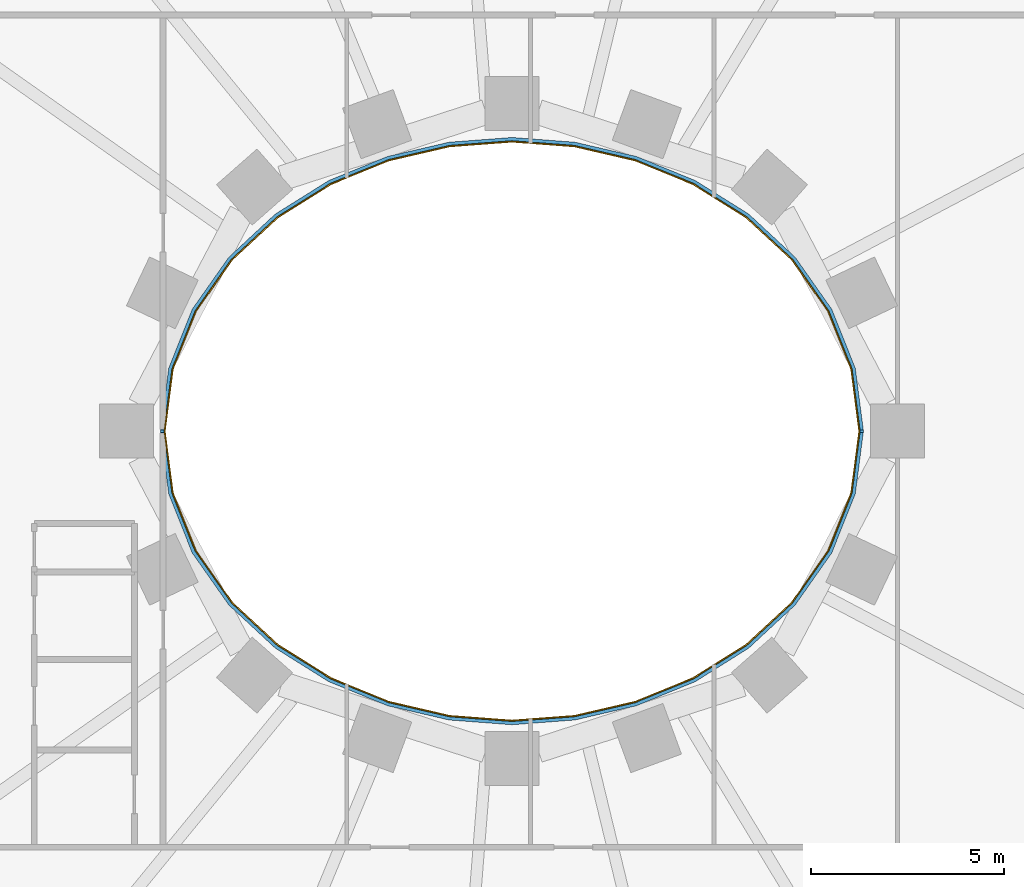
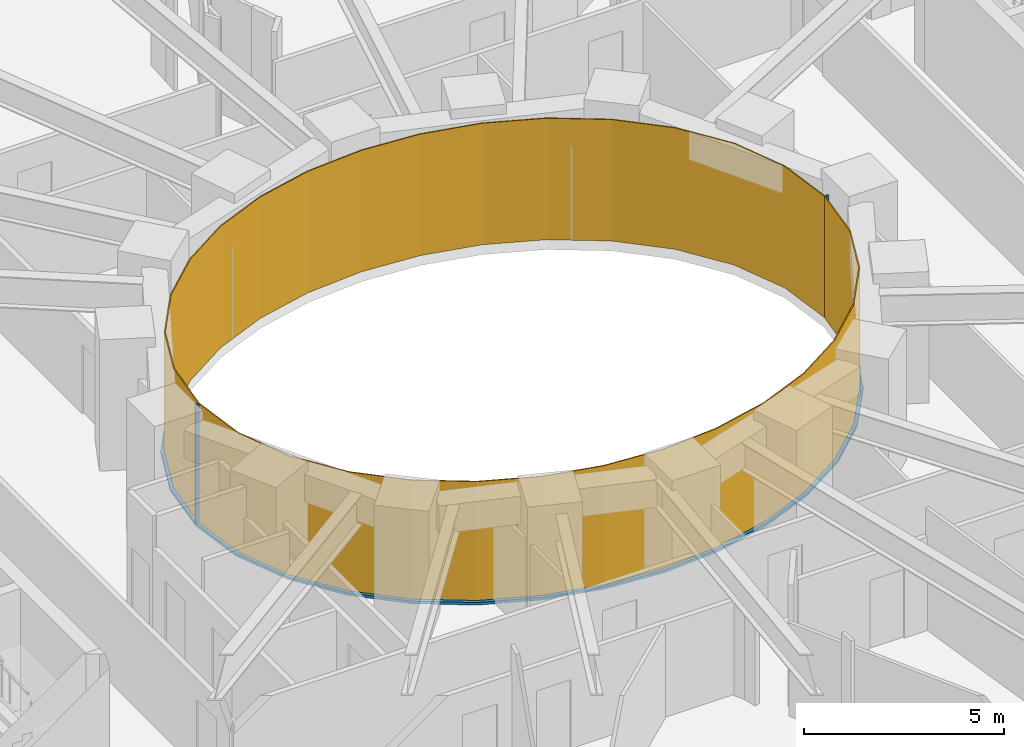
# One storey, part 10 of 20: 4 members, 2 curtain walls.
"""IFC4 building model written with IfcOpenShell, lengths in metres."""

from ifc_helpers import new_model, si_unit, direction, frame, origin, origin_2d, place, context, subcontext, project, spatial, polyline, rectangle, outline, extrude, material, layer, layer_set, material_profile, profile_set, type_object, element, aggregate, save


model = new_model("IFC4")

# Units and contexts
model_context = context("Model", 3, precision=1e-05, world=origin(), true_north=direction((0.0, 1.0)))
body_context = subcontext(model_context, "Body", "Model", "MODEL_VIEW")
ifc_project = project(units=[si_unit("LENGTHUNIT", "METRE"), si_unit("AREAUNIT", "SQUARE_METRE"), si_unit("VOLUMEUNIT", "CUBIC_METRE"), si_unit("PLANEANGLEUNIT", "RADIAN"), si_unit("MASSUNIT", "GRAM", prefix="KILO")], contexts=[model_context])

# Member
ifc_material_1 = material(Name="Steel S355 fire-resisting frame", Category="steel")
ifc_material_profile = material_profile(ifc_material_1, rectangle(XDim=0.090087890625, YDim=0.06005859375, at=origin_2d()), Name="90x60")
ifc_profile_set = profile_set([ifc_material_profile], Name="Steel S355 fire-resisting frame")
member_type_1 = type_object("IfcMemberType", Name="ENV-MULLION-W-90", PredefinedType="MULLION", material=ifc_profile_set)
site_placement = place(None, origin())
building_placement = place(site_placement, origin())
storey_placement = place(building_placement, frame((0.0, 0.0, 34.5)))
member_1_placement = place(storey_placement, frame((9.076904296875, 0.0, 0.0), z_axis=(0.0, 0.0, 1.0), x_axis=(1.0, 0.0, 0.0)))
member_1 = element("IfcMember", 1, at=member_1_placement, type_object=member_type_1, Name="Mullion W well vertex 01", PredefinedType="MULLION", context=body_context, shape_type="SweptSolid", body=[
    extrude(rectangle(XDim=0.090087890625, YDim=0.06005859375, at=origin_2d()), origin(), (0.0, 0.0, 1.0), 3.699951171875),
])

member_2_placement = place(storey_placement, frame((-9.076904296875, 0.0, 0.0), z_axis=(0.0, 0.0, 1.0), x_axis=(-1.0, 0.0, 0.0)))
member_2 = element("IfcMember", 2, at=member_2_placement, type_object=member_type_1, Name="Mullion W well vertex 17", PredefinedType="MULLION", context=body_context, shape_type="SweptSolid", body=[
    extrude(rectangle(XDim=0.090087890625, YDim=0.06005859375, at=origin_2d()), origin(), (0.0, 0.0, 1.0), 3.699951171875),
])

ifc_material_2 = material(Name="Steel S355 fire-resisting frame", Category="steel")
member_type_2 = type_object("IfcMemberType", Name="ENV-TRANSOM-W", PredefinedType="USERDEFINED", material=ifc_material_2)
member_3_placement = place(storey_placement, origin())
member_3 = element("IfcMember", 3, at=member_3_placement, type_object=member_type_2, Name="Transom W well 01-17", ObjectType="TRANSOM", PredefinedType="USERDEFINED", context=body_context, shape_type="SweptSolid", body=[
    extrude(outline(polyline([(9.119384765625, 0.02783203125), (8.910400390625, 1.63623046875), (8.29833984375, 3.167236328125), (7.35107421875, 4.5146484375), (6.1455078125, 5.6337890625), (4.75341796875, 6.50634765625), (3.233642578125, 7.127685546875), (1.635498046875, 7.498779296875), (0.0, 7.622314453125), (-1.635498046875, 7.498779296875), (-3.233642578125, 7.127685546875), (-4.75341796875, 6.50634765625), (-6.1455078125, 5.6337890625), (-7.35107421875, 4.5146484375), (-8.29833984375, 3.167236328125), (-8.910400390625, 1.63623046875), (-9.119384765625, 0.02783203125), (-9.02880859375, 0.02783203125), (-8.822509765625, 1.61328125), (-8.21875, 3.124267578125), (-7.282958984375, 4.455078125), (-6.090576171875, 5.56201171875), (-4.712158203125, 6.426025390625), (-3.206298828125, 7.04150390625), (-1.621826171875, 7.40966796875), (0.0, 7.531982421875), (1.621826171875, 7.40966796875), (3.206298828125, 7.04150390625), (4.712158203125, 6.426025390625), (6.090576171875, 5.56201171875), (7.282958984375, 4.455078125), (8.21875, 3.124267578125), (8.822509765625, 1.61328125), (9.02880859375, 0.02783203125), (9.119384765625, 0.02783203125)])), origin(), (0.0, 0.0, 1.0), 0.080078125),
])

member_4_placement = place(storey_placement, origin())
member_4 = element("IfcMember", 4, at=member_4_placement, type_object=member_type_2, Name="Transom W well 17-01", ObjectType="TRANSOM", PredefinedType="USERDEFINED", context=body_context, shape_type="SweptSolid", body=[
    extrude(outline(polyline([(-9.119384765625, -0.02783203125), (-8.910400390625, -1.63623046875), (-8.29833984375, -3.167236328125), (-7.35107421875, -4.5146484375), (-6.1455078125, -5.6337890625), (-4.75341796875, -6.50634765625), (-3.233642578125, -7.127685546875), (-1.635498046875, -7.498779296875), (0.0, -7.622314453125), (1.635498046875, -7.498779296875), (3.233642578125, -7.127685546875), (4.75341796875, -6.50634765625), (6.1455078125, -5.6337890625), (7.35107421875, -4.5146484375), (8.29833984375, -3.167236328125), (8.910400390625, -1.63623046875), (9.119384765625, -0.02783203125), (9.02880859375, -0.02783203125), (8.822509765625, -1.61328125), (8.21875, -3.124267578125), (7.282958984375, -4.455078125), (6.090576171875, -5.56201171875), (4.712158203125, -6.426025390625), (3.206298828125, -7.04150390625), (1.621826171875, -7.40966796875), (0.0, -7.531982421875), (-1.621826171875, -7.40966796875), (-3.206298828125, -7.04150390625), (-4.712158203125, -6.426025390625), (-6.090576171875, -5.56201171875), (-7.282958984375, -4.455078125), (-8.21875, -3.124267578125), (-8.822509765625, -1.61328125), (-9.02880859375, -0.02783203125), (-9.119384765625, -0.02783203125)])), origin(), (0.0, 0.0, 1.0), 0.080078125),
])

# Site, building, storey
site = spatial("IfcSite", under=ifc_project, at=site_placement, CompositionType="ELEMENT")
building = spatial("IfcBuilding", under=site, at=building_placement, Name="Noorbagh Ring Tower", CompositionType="ELEMENT")
storey = spatial("IfcBuildingStorey", under=building, at=storey_placement, Name="L06", CompositionType="ELEMENT", Elevation=34.5)

# Curtain wall
ifc_material_3 = material(Name="Glass fire-resisting E60 laminated", Category="glass")
ifc_layer = layer(ifc_material_3, 0.031982421875)
ifc_layer_set = layer_set([ifc_layer], Name="Glass fire-resisting E60 laminated")
curtain_wall_type = type_object("IfcCurtainWallType", Name="ENV-CW-W", PredefinedType="NOTDEFINED", material=ifc_layer_set)
curtain_wall_1_placement = place(storey_placement, origin())
curtain_wall_1 = element("IfcCurtainWall", 5, at=curtain_wall_1_placement, inside=storey, type_object=curtain_wall_type, Name="Curtain wall W W01", PredefinedType="NOTDEFINED", context=body_context, shape_type="SweptSolid", body=[
    extrude(outline(polyline([(9.0322265625, 0.0), (8.822509765625, 1.61328125), (8.21875, 3.124267578125), (7.282958984375, 4.455078125), (6.090576171875, 5.56201171875), (4.712158203125, 6.426025390625), (3.206298828125, 7.04150390625), (1.621826171875, 7.40966796875), (0.0, 7.531982421875), (-1.621826171875, 7.40966796875), (-3.206298828125, 7.04150390625), (-4.712158203125, 6.426025390625), (-6.090576171875, 5.56201171875), (-7.282958984375, 4.455078125), (-8.21875, 3.124267578125), (-8.822509765625, 1.61328125), (-9.0322265625, 0.0), (-9.0, 0.0), (-8.79150390625, 1.605224609375), (-8.1904296875, 3.10888671875), (-7.2587890625, 4.43408203125), (-6.071044921875, 5.53662109375), (-4.697509765625, 6.3974609375), (-3.196533203125, 7.010986328125), (-1.6171875, 7.3779296875), (0.0, 7.5), (1.6171875, 7.3779296875), (3.196533203125, 7.010986328125), (4.697509765625, 6.3974609375), (6.071044921875, 5.53662109375), (7.2587890625, 4.43408203125), (8.1904296875, 3.10888671875), (8.79150390625, 1.605224609375), (9.0, 0.0), (9.0322265625, 0.0)])), origin(), (0.0, 0.0, 1.0), 3.699951171875),
])

aggregate(curtain_wall_1, [member_1, member_2, member_3])

curtain_wall_2_placement = place(storey_placement, origin())
curtain_wall_2 = element("IfcCurtainWall", 6, at=curtain_wall_2_placement, inside=storey, type_object=curtain_wall_type, Name="Curtain wall W W17", PredefinedType="NOTDEFINED", context=body_context, shape_type="SweptSolid", body=[
    extrude(outline(polyline([(-9.0322265625, 0.0), (-8.822509765625, -1.61328125), (-8.21875, -3.124267578125), (-7.282958984375, -4.455078125), (-6.090576171875, -5.56201171875), (-4.712158203125, -6.426025390625), (-3.206298828125, -7.04150390625), (-1.621826171875, -7.40966796875), (0.0, -7.531982421875), (1.621826171875, -7.40966796875), (3.206298828125, -7.04150390625), (4.712158203125, -6.426025390625), (6.090576171875, -5.56201171875), (7.282958984375, -4.455078125), (8.21875, -3.124267578125), (8.822509765625, -1.61328125), (9.0322265625, 0.0), (9.0, 0.0), (8.79150390625, -1.605224609375), (8.1904296875, -3.10888671875), (7.2587890625, -4.43408203125), (6.071044921875, -5.53662109375), (4.697509765625, -6.3974609375), (3.196533203125, -7.010986328125), (1.6171875, -7.3779296875), (0.0, -7.5), (-1.6171875, -7.3779296875), (-3.196533203125, -7.010986328125), (-4.697509765625, -6.3974609375), (-6.071044921875, -5.53662109375), (-7.2587890625, -4.43408203125), (-8.1904296875, -3.10888671875), (-8.79150390625, -1.605224609375), (-9.0, 0.0), (-9.0322265625, 0.0)])), origin(), (0.0, 0.0, 1.0), 3.699951171875),
])

aggregate(curtain_wall_2, [member_4])

save(model, "model.ifc")
